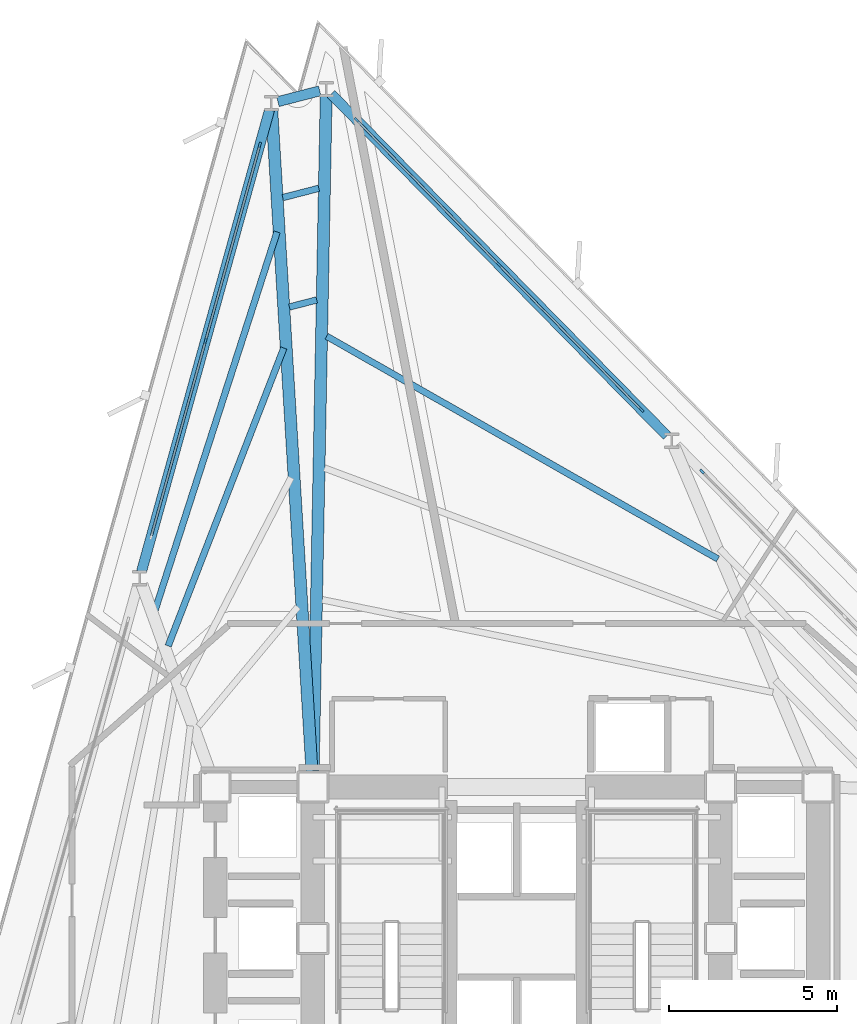
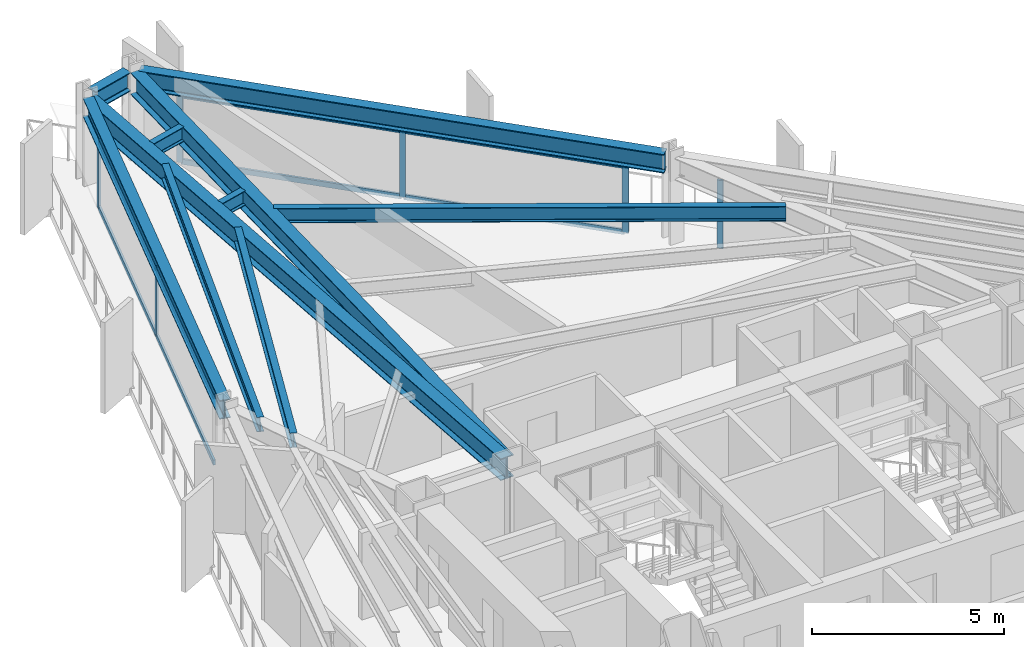
# One storey, part 5 of 11: 14 members, 10 beams, 3 elements without a shape of their own.
"""IFC4 building model written with IfcOpenShell, lengths in metres."""

from ifc_helpers import new_model, si_unit, direction, frame, origin, origin_2d, place, context, subcontext, project, spatial, rectangle, i_section, extrude, material, layer, layer_set, material_profile, profile_set, type_object, element, aggregate, save


model = new_model("IFC4")

# Units and contexts
model_context = context("Model", 3, precision=1e-05, world=origin(), true_north=direction((0.0, 1.0)))
body_context = subcontext(model_context, "Body", "Model", "MODEL_VIEW")
ifc_project = project(units=[si_unit("LENGTHUNIT", "METRE"), si_unit("AREAUNIT", "SQUARE_METRE"), si_unit("VOLUMEUNIT", "CUBIC_METRE"), si_unit("PLANEANGLEUNIT", "RADIAN"), si_unit("MASSUNIT", "GRAM", prefix="KILO")], contexts=[model_context])

# Site, building, storey
site_placement = place(None, origin())
site = spatial("IfcSite", under=ifc_project, at=site_placement, CompositionType="ELEMENT")
building_placement = place(site_placement, origin())
building = spatial("IfcBuilding", under=site, at=building_placement, Name="Rocaltana Carrier Exchange", CompositionType="ELEMENT")
storey_placement = place(building_placement, frame((0.0, 0.0, 82.56005859375)))
storey = spatial("IfcBuildingStorey", under=building, at=storey_placement, Name="L25", CompositionType="ELEMENT", Elevation=82.56005859375)

# Curtain wall, member
ifc_material_1 = material(Name="Aluminium 6063-T6", Category="aluminium")
ifc_layer = layer(ifc_material_1, 0.1650390625)
ifc_layer_set = layer_set([ifc_layer], Name="Aluminium 6063-T6")
curtain_wall_type = type_object("IfcCurtainWallType", Name="Lower-Mid Stepped Curtain Wall CW-02", PredefinedType="NOTDEFINED", material=ifc_layer_set)
curtain_wall_1_placement = place(storey_placement, origin())
curtain_wall_1 = element("IfcCurtainWall", 1, at=curtain_wall_1_placement, inside=storey, type_object=curtain_wall_type, Name="L25 CW-02 Run CW-L25-F1S2", PredefinedType="NOTDEFINED")
ifc_material_2 = material(Name="Aluminium 6063-T6", Category="aluminium")
ifc_material_profile_1 = material_profile(ifc_material_2, rectangle(XDim=0.06494140625, YDim=0.1650390625, at=origin_2d()), Name="AL-65X165")
ifc_profile_set_1 = profile_set([ifc_material_profile_1], Name="Aluminium 6063-T6")
member_type_1 = type_object("IfcMemberType", Name="CW-02 Mullion AL-65X165", PredefinedType="MULLION", material=ifc_profile_set_1)
member_1_placement = place(storey_placement, frame((5.503173828125, 13.8681640625, 0.0), z_axis=(0.0, 0.0, 1.0), x_axis=(-0.713244696676, -0.700915118017, 0.0)))
member_1 = element("IfcMember", 2, at=member_1_placement, type_object=member_type_1, Name="CW-02 mullion 3", PredefinedType="MULLION", context=body_context, shape_type="SweptSolid", body=[
    extrude(rectangle(XDim=0.06494140625, YDim=0.1650390625, at=origin_2d()), origin(), (0.0, 0.0, 1.0), 2.16796875),
])
aggregate(curtain_wall_1, [member_1])

# Curtain wall, members
curtain_wall_2_placement = place(storey_placement, origin())
curtain_wall_2 = element("IfcCurtainWall", 3, at=curtain_wall_2_placement, inside=storey, type_object=curtain_wall_type, Name="L25 CW-02 Run CW-L25-F1S3", PredefinedType="NOTDEFINED")
member_2_placement = place(storey_placement, frame((3.70556640625, 15.69775390625, 0.0), z_axis=(0.0, 0.0, 1.0), x_axis=(-0.713244767898, -0.700915045542, 0.0)))
member_2 = element("IfcMember", 4, at=member_2_placement, type_object=member_type_1, Name="CW-02 mullion 1", PredefinedType="MULLION", context=body_context, shape_type="SweptSolid", body=[
    extrude(rectangle(XDim=0.06494140625, YDim=0.1650390625, at=origin_2d()), origin(), (0.0, 0.0, 1.0), 2.16796875),
])
member_3_placement = place(storey_placement, frame((-0.52392578125, 20.001708984375, 0.0), z_axis=(0.0, 0.0, 1.0), x_axis=(-0.713244767898, -0.700915045542, 0.0)))
member_3 = element("IfcMember", 5, at=member_3_placement, type_object=member_type_1, Name="CW-02 mullion 2", PredefinedType="MULLION", context=body_context, shape_type="SweptSolid", body=[
    extrude(rectangle(XDim=0.06494140625, YDim=0.1650390625, at=origin_2d()), origin(), (0.0, 0.0, 1.0), 2.16796875),
])
member_4_placement = place(storey_placement, frame((-4.75341796875, 24.305419921875, 0.0), z_axis=(0.0, 0.0, 1.0), x_axis=(-0.713244767898, -0.700915045542, 0.0)))
member_4 = element("IfcMember", 6, at=member_4_placement, type_object=member_type_1, Name="CW-02 mullion 3", PredefinedType="MULLION", context=body_context, shape_type="SweptSolid", body=[
    extrude(rectangle(XDim=0.06494140625, YDim=0.1650390625, at=origin_2d()), origin(), (0.0, 0.0, 1.0), 2.16796875),
])

curtain_wall_3_placement = place(storey_placement, origin())
curtain_wall_3 = element("IfcCurtainWall", 7, at=curtain_wall_3_placement, inside=storey, type_object=curtain_wall_type, Name="L25 CW-02 Run CW-L25-F2S1", PredefinedType="NOTDEFINED")
member_5_placement = place(storey_placement, frame((-7.626220703125, 23.5625, 0.0), z_axis=(0.0, 0.0, 1.0), x_axis=(0.96362846453, -0.267245546918, 0.0)))
member_5 = element("IfcMember", 8, at=member_5_placement, type_object=member_type_1, Name="CW-02 mullion 1", PredefinedType="MULLION", context=body_context, shape_type="SweptSolid", body=[
    extrude(rectangle(XDim=0.06494140625, YDim=0.1650390625, at=origin_2d()), origin(), (0.0, 0.0, 1.0), 2.16796875),
])
member_6_placement = place(storey_placement, frame((-9.23876953125, 17.747802734375, 0.0), z_axis=(0.0, 0.0, 1.0), x_axis=(0.96362846453, -0.267245546918, 0.0)))
member_6 = element("IfcMember", 9, at=member_6_placement, type_object=member_type_1, Name="CW-02 mullion 2", PredefinedType="MULLION", context=body_context, shape_type="SweptSolid", body=[
    extrude(rectangle(XDim=0.06494140625, YDim=0.1650390625, at=origin_2d()), origin(), (0.0, 0.0, 1.0), 2.16796875),
])

# Member
ifc_material_3 = material(Name="Aluminium 6063-T6", Category="aluminium")
ifc_material_profile_2 = material_profile(ifc_material_3, rectangle(XDim=0.06494140625, YDim=0.1650390625, at=origin_2d()), Name="AL-65X165")
ifc_profile_set_2 = profile_set([ifc_material_profile_2], Name="Aluminium 6063-T6")
member_type_2 = type_object("IfcMemberType", Name="CW-02 Transom AL-65X165", PredefinedType="USERDEFINED", material=ifc_profile_set_2)
member_7_placement = place(storey_placement, frame((3.682861328125, 15.720947265625, 0.032470703125), z_axis=(-0.700924711343, 0.713235269058, 0.0), x_axis=(-0.713235269058, -0.700924711343, 0.0)))
member_7 = element("IfcMember", 10, at=member_7_placement, type_object=member_type_2, Name="CW-02 transom 1.1", ObjectType="TRANSOM", PredefinedType="USERDEFINED", context=body_context, shape_type="SweptSolid", body=[
    extrude(rectangle(XDim=0.06494140625, YDim=0.1650390625, at=origin_2d()), origin(), (0.0, 0.0, 1.0), 5.969482421875),
])

member_8_placement = place(storey_placement, frame((3.682861328125, 15.720947265625, 2.135498046875), z_axis=(-0.700924711343, 0.713235269058, 0.0), x_axis=(-0.713235269058, -0.700924711343, 0.0)))
member_8 = element("IfcMember", 11, at=member_8_placement, type_object=member_type_2, Name="CW-02 transom 1.2", ObjectType="TRANSOM", PredefinedType="USERDEFINED", context=body_context, shape_type="SweptSolid", body=[
    extrude(rectangle(XDim=0.06494140625, YDim=0.1650390625, at=origin_2d()), origin(), (0.0, 0.0, 1.0), 5.969482421875),
])

member_9_placement = place(storey_placement, frame((-0.546630859375, 20.02490234375, 0.032470703125), z_axis=(-0.700924352217, 0.713235621985, 0.0), x_axis=(-0.713235621985, -0.700924352217, 0.0)))
member_9 = element("IfcMember", 12, at=member_9_placement, type_object=member_type_2, Name="CW-02 transom 2.1", ObjectType="TRANSOM", PredefinedType="USERDEFINED", context=body_context, shape_type="SweptSolid", body=[
    extrude(rectangle(XDim=0.06494140625, YDim=0.1650390625, at=origin_2d()), origin(), (0.0, 0.0, 1.0), 5.968994140625),
])

member_10_placement = place(storey_placement, frame((-0.546630859375, 20.02490234375, 2.135498046875), z_axis=(-0.700924352217, 0.713235621985, 0.0), x_axis=(-0.713235621985, -0.700924352217, 0.0)))
member_10 = element("IfcMember", 13, at=member_10_placement, type_object=member_type_2, Name="CW-02 transom 2.2", ObjectType="TRANSOM", PredefinedType="USERDEFINED", context=body_context, shape_type="SweptSolid", body=[
    extrude(rectangle(XDim=0.06494140625, YDim=0.1650390625, at=origin_2d()), origin(), (0.0, 0.0, 1.0), 5.968994140625),
])

aggregate(curtain_wall_2, [member_2, member_3, member_4, member_7, member_8, member_9, member_10])

member_11_placement = place(storey_placement, frame((-7.634765625, 23.53125, 0.032470703125), z_axis=(-0.267274698809, -0.963620379287, 0.0), x_axis=(0.963620379287, -0.267274698809, 0.0)))
member_11 = element("IfcMember", 14, at=member_11_placement, type_object=member_type_2, Name="CW-02 transom 1.1", ObjectType="TRANSOM", PredefinedType="USERDEFINED", context=body_context, shape_type="SweptSolid", body=[
    extrude(rectangle(XDim=0.06494140625, YDim=0.1650390625, at=origin_2d()), origin(), (0.0, 0.0, 1.0), 5.96923828125),
])

member_12_placement = place(storey_placement, frame((-7.634765625, 23.53125, 2.135498046875), z_axis=(-0.267274698809, -0.963620379287, 0.0), x_axis=(0.963620379287, -0.267274698809, 0.0)))
member_12 = element("IfcMember", 15, at=member_12_placement, type_object=member_type_2, Name="CW-02 transom 1.2", ObjectType="TRANSOM", PredefinedType="USERDEFINED", context=body_context, shape_type="SweptSolid", body=[
    extrude(rectangle(XDim=0.06494140625, YDim=0.1650390625, at=origin_2d()), origin(), (0.0, 0.0, 1.0), 5.96923828125),
])

member_13_placement = place(storey_placement, frame((-9.24755859375, 17.716552734375, 0.032470703125), z_axis=(-0.267236720875, -0.963630912235, 0.0), x_axis=(0.963630912235, -0.267236720875, 0.0)))
member_13 = element("IfcMember", 16, at=member_13_placement, type_object=member_type_2, Name="CW-02 transom 2.1", ObjectType="TRANSOM", PredefinedType="USERDEFINED", context=body_context, shape_type="SweptSolid", body=[
    extrude(rectangle(XDim=0.06494140625, YDim=0.1650390625, at=origin_2d()), origin(), (0.0, 0.0, 1.0), 5.96923828125),
])

member_14_placement = place(storey_placement, frame((-9.24755859375, 17.716552734375, 2.135498046875), z_axis=(-0.267236720875, -0.963630912235, 0.0), x_axis=(0.963630912235, -0.267236720875, 0.0)))
member_14 = element("IfcMember", 17, at=member_14_placement, type_object=member_type_2, Name="CW-02 transom 2.2", ObjectType="TRANSOM", PredefinedType="USERDEFINED", context=body_context, shape_type="SweptSolid", body=[
    extrude(rectangle(XDim=0.06494140625, YDim=0.1650390625, at=origin_2d()), origin(), (0.0, 0.0, 1.0), 5.96923828125),
])

aggregate(curtain_wall_3, [member_5, member_6, member_11, member_12, member_13, member_14])

# Beams
ifc_material_4 = material(Name="Steel S355", Category="steel")
ifc_material_profile_3 = material_profile(ifc_material_4, i_section(OverallWidth=0.193115234375, OverallDepth=0.466064453125, WebThickness=0.011474609375, FlangeThickness=0.01904296875, FilletRadius=0.013916015625, at=origin_2d()), Name="W18X65")
ifc_profile_set_3 = profile_set([ifc_material_profile_3], Name="Steel S355")
beam_type_1 = type_object("IfcBeamType", Name="Floor Joist W18X65", PredefinedType="JOIST", material=ifc_profile_set_3)
beam_1_placement = place(storey_placement, frame((5.976318359375, 11.268798828125, 2.554931640625), z_axis=(-0.869038762024, 0.494744004613, 0.0), x_axis=(-0.494744004613, -0.869038762024, 0.0)))
element("IfcBeam", 18, at=beam_1_placement, inside=storey, type_object=beam_type_1, Name="FJ-L25-03-3", PredefinedType="JOIST", context=body_context, shape_type="SweptSolid", body=[
    extrude(i_section(OverallWidth=0.193115234375, OverallDepth=0.466064453125, WebThickness=0.011474609375, FlangeThickness=0.01904296875, FilletRadius=0.013916015625, at=origin_2d()), origin(), (0.0, 0.0, 1.0), 13.36962890625),
])
beam_2_placement = place(storey_placement, frame((-5.9375, 18.961181640625, 2.554931640625), z_axis=(-0.968135931974, -0.250425272727, 0.0), x_axis=(0.250425272727, -0.968135931974, 0.0)))
element("IfcBeam", 19, at=beam_2_placement, inside=storey, type_object=beam_type_1, Name="FJ-L25-04-3", PredefinedType="JOIST", context=body_context, shape_type="SweptSolid", body=[
    extrude(i_section(OverallWidth=0.193115234375, OverallDepth=0.466064453125, WebThickness=0.011474609375, FlangeThickness=0.01904296875, FilletRadius=0.013916015625, at=origin_2d()), origin(), (0.0, 0.0, 1.0), 0.83642578125),
])
beam_3_placement = place(storey_placement, frame((-5.873779296875, 22.2763671875, 2.554931640625), z_axis=(-0.968177342662, -0.25026512573, 0.0), x_axis=(0.25026512573, -0.968177342662, 0.0)))
element("IfcBeam", 20, at=beam_3_placement, inside=storey, type_object=beam_type_1, Name="FJ-L25-04-4", PredefinedType="JOIST", context=body_context, shape_type="SweptSolid", body=[
    extrude(i_section(OverallWidth=0.193115234375, OverallDepth=0.466064453125, WebThickness=0.011474609375, FlangeThickness=0.01904296875, FilletRadius=0.013916015625, at=origin_2d()), origin(), (0.0, 0.0, 1.0), 1.106201171875),
])
beam_4_placement = place(storey_placement, frame((-6.913818359375, 17.533935546875, 2.554931640625), z_axis=(-0.361784373261, -0.93226180189, 0.0), x_axis=(0.93226180189, -0.361784373261, 0.0)))
element("IfcBeam", 21, at=beam_4_placement, inside=storey, type_object=beam_type_1, Name="FJ-L25-05-3", PredefinedType="JOIST", context=body_context, shape_type="SweptSolid", body=[
    extrude(i_section(OverallWidth=0.193115234375, OverallDepth=0.466064453125, WebThickness=0.011474609375, FlangeThickness=0.01904296875, FilletRadius=0.013916015625, at=origin_2d()), origin(), (0.0, 0.0, 1.0), 9.48876953125),
])
beam_5_placement = place(storey_placement, frame((-7.114013671875, 20.9814453125, 2.554931640625), z_axis=(-0.306913359242, -0.951737458504, 0.0), x_axis=(0.951737458504, -0.306913359242, 0.0)))
element("IfcBeam", 22, at=beam_5_placement, inside=storey, type_object=beam_type_1, Name="FJ-L25-05-4", PredefinedType="JOIST", context=body_context, shape_type="SweptSolid", body=[
    extrude(i_section(OverallWidth=0.193115234375, OverallDepth=0.466064453125, WebThickness=0.011474609375, FlangeThickness=0.01904296875, FilletRadius=0.013916015625, at=origin_2d()), origin(), (0.0, 0.0, 1.0), 11.806396484375),
])
ifc_material_5 = material(Name="Steel S355", Category="steel")
ifc_material_profile_4 = material_profile(ifc_material_5, i_section(OverallWidth=0.35498046875, OverallDepth=0.695068359375, WebThickness=0.015380859375, FlangeThickness=0.02490234375, FilletRadius=0.01806640625, at=origin_2d()), Name="W27X146")
ifc_profile_set_4 = profile_set([ifc_material_profile_4], Name="Steel S355")
beam_type_2 = type_object("IfcBeamType", Name="Radial Girder W27X146", PredefinedType="BEAM", material=ifc_profile_set_4)
beam_6_placement = place(storey_placement, frame((-6.041015625, 4.966796875, 2.4404296875), z_axis=(0.019196559381, 0.999815729076, 0.0), x_axis=(-0.999815729076, 0.019196559381, 0.0)))
element("IfcBeam", 23, at=beam_6_placement, inside=storey, type_object=beam_type_2, Name="RG-L25-04", PredefinedType="BEAM", context=body_context, shape_type="SweptSolid", body=[
    extrude(i_section(OverallWidth=0.35498046875, OverallDepth=0.695068359375, WebThickness=0.015380859375, FlangeThickness=0.02490234375, FilletRadius=0.01806640625, at=origin_2d()), origin(), (0.0, 0.0, 1.0), 20.05615234375),
])
beam_7_placement = place(storey_placement, frame((-6.078369140625, 4.966064453125, 2.4404296875), z_axis=(-0.060650968736, 0.99815903542, 0.0), x_axis=(-0.99815903542, -0.060650968736, 0.0)))
element("IfcBeam", 24, at=beam_7_placement, inside=storey, type_object=beam_type_2, Name="RG-L25-05", PredefinedType="BEAM", context=body_context, shape_type="SweptSolid", body=[
    extrude(i_section(OverallWidth=0.35498046875, OverallDepth=0.695068359375, WebThickness=0.015380859375, FlangeThickness=0.02490234375, FilletRadius=0.01806640625, at=origin_2d()), origin(), (0.0, 0.0, 1.0), 19.667724609375),
])
ifc_material_6 = material(Name="Steel S355", Category="steel")
ifc_material_profile_5 = material_profile(ifc_material_6, i_section(OverallWidth=0.300048828125, OverallDepth=0.60009765625, WebThickness=0.015380859375, FlangeThickness=0.030029296875, FilletRadius=0.027099609375, at=origin_2d()), Name="HEB600")
ifc_profile_set_5 = profile_set([ifc_material_profile_5], Name="Steel S355")
beam_type_3 = type_object("IfcBeamType", Name="Spandrel Edge Beam HEB600", PredefinedType="SPANDREL", material=ifc_profile_set_5)
beam_8_placement = place(storey_placement, frame((4.46337890625, 14.926513671875, 2.488037109375), z_axis=(-0.700903840952, 0.713255778623, 0.0), x_axis=(-0.713255778623, -0.700903840952, 0.0)))
element("IfcBeam", 25, at=beam_8_placement, inside=storey, type_object=beam_type_3, Name="SP-L25-03", PredefinedType="SPANDREL", context=body_context, shape_type="SweptSolid", body=[
    extrude(i_section(OverallWidth=0.300048828125, OverallDepth=0.60009765625, WebThickness=0.015380859375, FlangeThickness=0.030029296875, FilletRadius=0.027099609375, at=origin_2d()), origin(), (0.0, 0.0, 1.0), 14.23095703125),
])
beam_9_placement = place(storey_placement, frame((-5.8466796875, 25.169921875, 2.488037109375), z_axis=(-0.96814054922, -0.250407421929, 0.0), x_axis=(0.250407421929, -0.96814054922, 0.0)))
element("IfcBeam", 26, at=beam_9_placement, inside=storey, type_object=beam_type_3, Name="SP-L25-04", PredefinedType="SPANDREL", context=body_context, shape_type="SweptSolid", body=[
    extrude(i_section(OverallWidth=0.300048828125, OverallDepth=0.60009765625, WebThickness=0.015380859375, FlangeThickness=0.030029296875, FilletRadius=0.027099609375, at=origin_2d()), origin(), (0.0, 0.0, 1.0), 1.282958984375),
])
beam_10_placement = place(storey_placement, frame((-7.337158203125, 24.6044921875, 2.488037109375), z_axis=(-0.267244796471, -0.963628672653, 0.0), x_axis=(0.963628672653, -0.267244796471, 0.0)))
element("IfcBeam", 27, at=beam_10_placement, inside=storey, type_object=beam_type_3, Name="SP-L25-05", PredefinedType="SPANDREL", context=body_context, shape_type="SweptSolid", body=[
    extrude(i_section(OverallWidth=0.300048828125, OverallDepth=0.60009765625, WebThickness=0.015380859375, FlangeThickness=0.030029296875, FilletRadius=0.027099609375, at=origin_2d()), origin(), (0.0, 0.0, 1.0), 14.231201171875),
])

save(model, "model.ifc")
